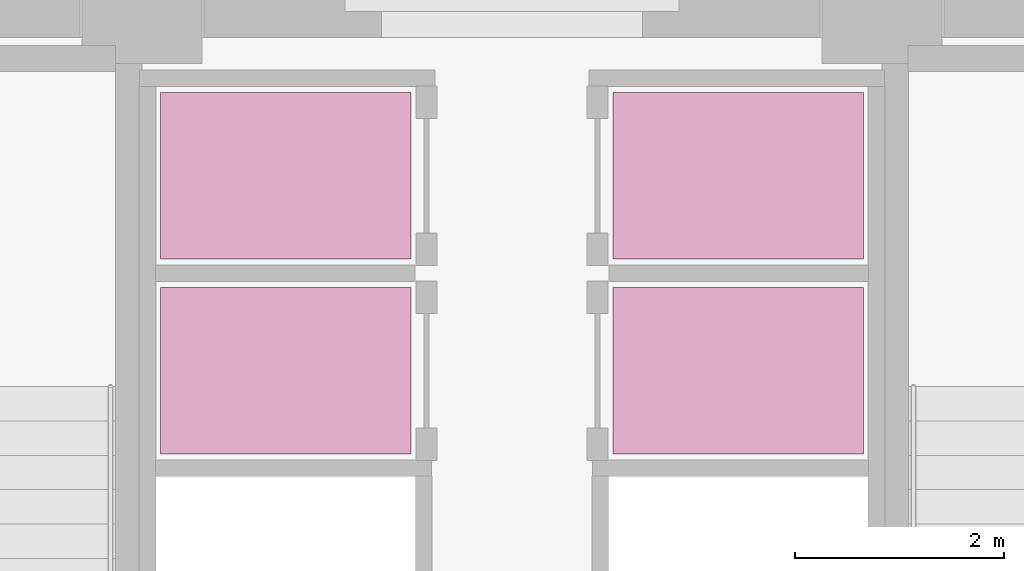
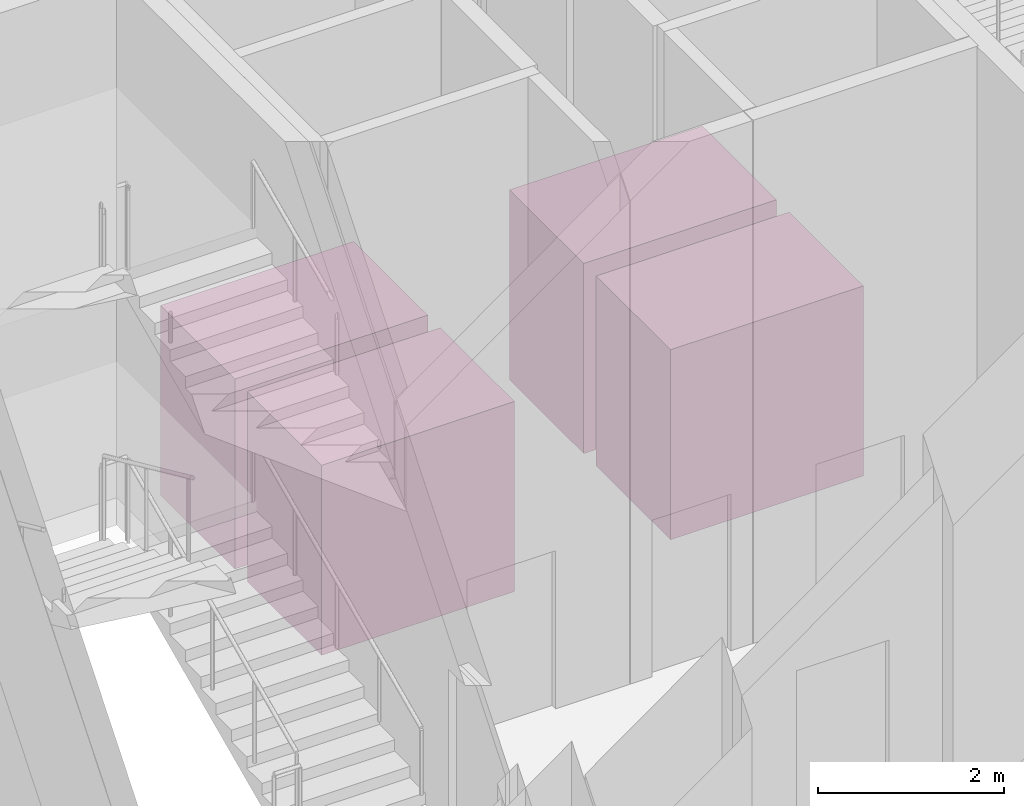
# One storey, part 7 of 7: 4 transport elements.
"""IFC4 building model written with IfcOpenShell, lengths in metres."""

from ifc_helpers import new_model, si_unit, direction, frame, origin, origin_2d, place, context, subcontext, project, spatial, rectangle, extrude, material, type_object, element, save


model = new_model("IFC4")

# Units and contexts
model_context = context("Model", 3, precision=1e-05, world=origin(), true_north=direction((0.0, 1.0)))
body_context = subcontext(model_context, "Body", "Model", "MODEL_VIEW")
ifc_project = project(units=[si_unit("LENGTHUNIT", "METRE"), si_unit("AREAUNIT", "SQUARE_METRE"), si_unit("VOLUMEUNIT", "CUBIC_METRE"), si_unit("PLANEANGLEUNIT", "RADIAN"), si_unit("MASSUNIT", "GRAM", prefix="KILO")], contexts=[model_context])

# Site, building, storey
site_placement = place(None, origin())
site = spatial("IfcSite", under=ifc_project, at=site_placement, CompositionType="ELEMENT")
building_placement = place(site_placement, origin())
building = spatial("IfcBuilding", under=site, at=building_placement, Name="Menara Vayukalpa", CompositionType="ELEMENT")
storey_placement = place(building_placement, origin())
storey = spatial("IfcBuildingStorey", under=building, at=storey_placement, Name="L00", CompositionType="ELEMENT", Elevation=0.0)

# Transport elements
ifc_material = material(Name="Brushed Stainless Steel 304 Lift Car", Category="steel")
transport_element_type = type_object("IfcTransportElementType", Name="LFT-PAS", PredefinedType="ELEVATOR", material=ifc_material)
for number, where, z_axis, x_axis, name in (
    (1, (23.429931640625, 23.280029296875, 0.0), (0.0, 0.0, 1.0), (1.0, 0.0, 0.0), "Low Rise Passenger Lift PL-1"),
    (2, (23.429931640625, 25.14990234375, 0.0), (0.0, 0.0, 1.0), (1.0, 0.0, 0.0), "Low Rise Passenger Lift PL-2"),
    (3, (27.77001953125, 25.14990234375, 0.0), (0.0, 0.0, 1.0), (1.0, 0.0, 0.0), "Mid Rise Passenger Lift PM-1"),
    (4, (27.77001953125, 23.280029296875, 0.0), (0.0, 0.0, 1.0), (1.0, 0.0, 0.0), "High Rise Observation Lift PH-1"),
):
    element("IfcTransportElement", number, at=place(storey_placement, frame(where, z_axis=z_axis, x_axis=x_axis)), inside=storey, type_object=transport_element_type, Name=name, PredefinedType="ELEVATOR", context=body_context, shape_type="SweptSolid", body=[
        extrude(rectangle(XDim=2.39990234375, YDim=1.60009765625, at=origin_2d()), origin(), (0.0, 0.0, 1.0), 2.5),
    ])

save(model, "model.ifc")
